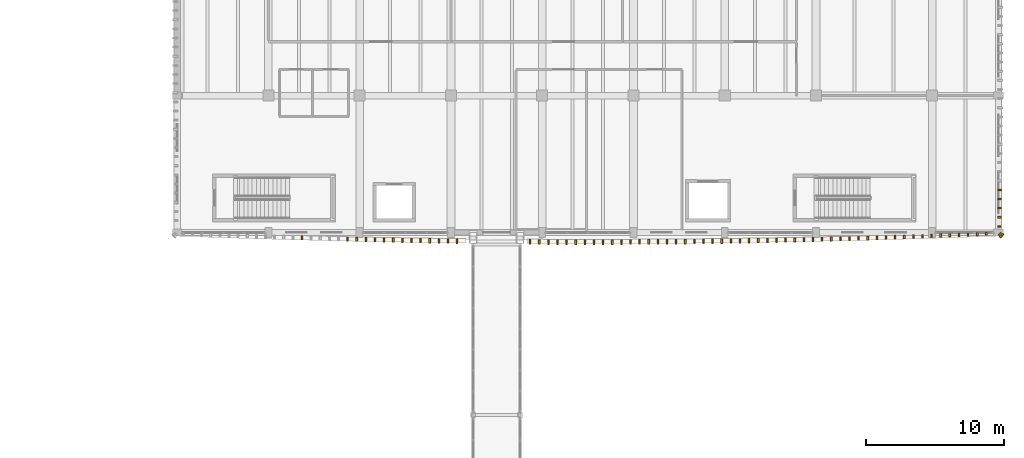
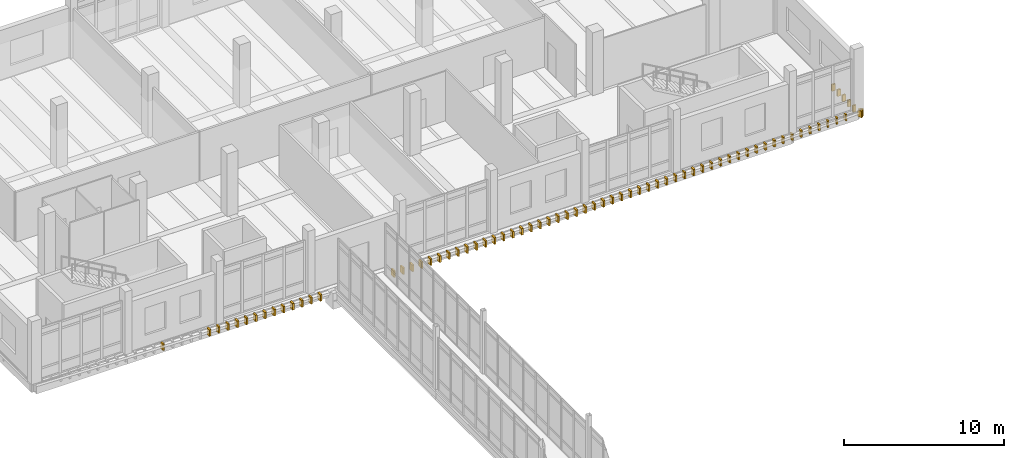
# One storey, part 123 of 125: 73 coverings.
"""IFC4 building model written with IfcOpenShell, lengths in metres."""

from ifc_helpers import new_model, si_unit, direction, frame, origin, origin_2d, place, context, subcontext, project, spatial, rectangle, extrude, material, layer, layer_set, type_object, element, save


model = new_model("IFC4")

# Units and contexts
model_context = context("Model", 3, precision=1e-05, world=origin(), true_north=direction((0.0, 1.0)))
body_context = subcontext(model_context, "Body", "Model", "MODEL_VIEW")
ifc_project = project(units=[si_unit("LENGTHUNIT", "METRE"), si_unit("AREAUNIT", "SQUARE_METRE"), si_unit("VOLUMEUNIT", "CUBIC_METRE"), si_unit("PLANEANGLEUNIT", "RADIAN"), si_unit("MASSUNIT", "GRAM", prefix="KILO")], contexts=[model_context])

# Site, building, storey
site_placement = place(None, origin())
site = spatial("IfcSite", under=ifc_project, at=site_placement, CompositionType="ELEMENT")
building_placement = place(site_placement, origin())
building = spatial("IfcBuilding", under=site, at=building_placement, Name="Dornvale Research Institute", CompositionType="ELEMENT")
storey_placement = place(building_placement, frame((0.0, 0.0, 5.39990234375)))
storey = spatial("IfcBuildingStorey", under=building, at=storey_placement, Name="L01", CompositionType="ELEMENT", Elevation=5.39990234375)

# Coverings
ifc_material = material(Name="Polychrome Glazed Terracotta Visor Rib Ceramic", Category="masonry")
ifc_layer = layer(ifc_material, 0.1201171875)
ifc_layer_set = layer_set([ifc_layer], Name="Polychrome Glazed Terracotta Visor Rib Ceramic")
covering_type = type_object("IfcCoveringType", Name="Covering_VisorBlade_Low", PredefinedType="CLADDING", material=ifc_layer_set)
covering_1_placement = place(storey_placement, frame((127.825439453125, 92.015869140625, -0.489990234375), z_axis=(0.0, 0.0, 1.0), x_axis=(0.0, 1.0, 0.0)))
element("IfcCovering", 1, at=covering_1_placement, inside=storey, type_object=covering_type, Name="L01 V4 canted glazed terracotta visor blade #1738", PredefinedType="CLADDING", context=body_context, shape_type="SweptSolid", body=[
    extrude(rectangle(XDim=0.281982421875, YDim=0.1201171875, at=origin_2d()), origin(), (0.0, 0.0, 1.0), 0.5),
])
covering_2_placement = place(storey_placement, frame((131.12451171875, 91.92626953125, -0.489990234375), z_axis=(0.0, 0.0, 1.0), x_axis=(0.0, 1.0, 0.0)))
element("IfcCovering", 2, at=covering_2_placement, inside=storey, type_object=covering_type, Name="L01 V4 canted glazed terracotta visor blade #1743", PredefinedType="CLADDING", context=body_context, shape_type="SweptSolid", body=[
    extrude(rectangle(XDim=0.304931640625, YDim=0.1201171875, at=origin_2d()), origin(), (0.0, 0.0, 1.0), 0.5),
])
covering_3_placement = place(storey_placement, frame((131.784423828125, 91.909912109375, -0.489990234375), z_axis=(0.0, 0.0, 1.0), x_axis=(0.0, 1.0, 0.0)))
element("IfcCovering", 3, at=covering_3_placement, inside=storey, type_object=covering_type, Name="L01 V4 canted glazed terracotta visor blade #1744", PredefinedType="CLADDING", context=body_context, shape_type="SweptSolid", body=[
    extrude(rectangle(XDim=0.30908203125, YDim=0.1201171875, at=origin_2d()), origin(), (0.0, 0.0, 1.0), 0.5),
])
covering_4_placement = place(storey_placement, frame((132.4443359375, 91.89453125, -0.489990234375), z_axis=(0.0, 0.0, 1.0), x_axis=(0.0, 1.0, 0.0)))
element("IfcCovering", 4, at=covering_4_placement, inside=storey, type_object=covering_type, Name="L01 V4 canted glazed terracotta visor blade #1745", PredefinedType="CLADDING", context=body_context, shape_type="SweptSolid", body=[
    extrude(rectangle(XDim=0.31298828125, YDim=0.1201171875, at=origin_2d()), origin(), (0.0, 0.0, 1.0), 0.5),
])
covering_5_placement = place(storey_placement, frame((133.104248046875, 91.879638671875, -0.489990234375), z_axis=(0.0, 0.0, 1.0), x_axis=(0.0, 1.0, 0.0)))
element("IfcCovering", 5, at=covering_5_placement, inside=storey, type_object=covering_type, Name="L01 V4 canted glazed terracotta visor blade #1746", PredefinedType="CLADDING", context=body_context, shape_type="SweptSolid", body=[
    extrude(rectangle(XDim=0.31689453125, YDim=0.1201171875, at=origin_2d()), origin(), (0.0, 0.0, 1.0), 0.5),
])
covering_6_placement = place(storey_placement, frame((133.763916015625, 91.864990234375, -0.489990234375), z_axis=(0.0, 0.0, 1.0), x_axis=(0.0, 1.0, 0.0)))
element("IfcCovering", 6, at=covering_6_placement, inside=storey, type_object=covering_type, Name="L01 V4 canted glazed terracotta visor blade #1747", PredefinedType="CLADDING", context=body_context, shape_type="SweptSolid", body=[
    extrude(rectangle(XDim=0.321044921875, YDim=0.1201171875, at=origin_2d()), origin(), (0.0, 0.0, 1.0), 0.5),
])
covering_7_placement = place(storey_placement, frame((134.423828125, 91.851806640625, -0.489990234375), z_axis=(0.0, 0.0, 1.0), x_axis=(0.0, 1.0, 0.0)))
element("IfcCovering", 7, at=covering_7_placement, inside=storey, type_object=covering_type, Name="L01 V4 canted glazed terracotta visor blade #1748", PredefinedType="CLADDING", context=body_context, shape_type="SweptSolid", body=[
    extrude(rectangle(XDim=0.323974609375, YDim=0.1201171875, at=origin_2d()), origin(), (0.0, 0.0, 1.0), 0.5),
])
covering_8_placement = place(storey_placement, frame((135.083740234375, 91.8388671875, -0.489990234375), z_axis=(0.0, 0.0, 1.0), x_axis=(0.0, 1.0, 0.0)))
element("IfcCovering", 8, at=covering_8_placement, inside=storey, type_object=covering_type, Name="L01 V4 canted glazed terracotta visor blade #1749", PredefinedType="CLADDING", context=body_context, shape_type="SweptSolid", body=[
    extrude(rectangle(XDim=0.326904296875, YDim=0.1201171875, at=origin_2d()), origin(), (0.0, 0.0, 1.0), 0.5),
])
covering_9_placement = place(storey_placement, frame((135.743896484375, 91.826904296875, -0.489990234375), z_axis=(0.0, 0.0, 1.0), x_axis=(0.0, 1.0, 0.0)))
element("IfcCovering", 9, at=covering_9_placement, inside=storey, type_object=covering_type, Name="L01 V4 canted glazed terracotta visor blade #1750", PredefinedType="CLADDING", context=body_context, shape_type="SweptSolid", body=[
    extrude(rectangle(XDim=0.330078125, YDim=0.1201171875, at=origin_2d()), origin(), (0.0, 0.0, 1.0), 0.5),
])
covering_10_placement = place(storey_placement, frame((136.40380859375, 91.815185546875, -0.489990234375), z_axis=(0.0, 0.0, 1.0), x_axis=(0.0, 1.0, 0.0)))
element("IfcCovering", 10, at=covering_10_placement, inside=storey, type_object=covering_type, Name="L01 V4 canted glazed terracotta visor blade #1751", PredefinedType="CLADDING", context=body_context, shape_type="SweptSolid", body=[
    extrude(rectangle(XDim=0.3330078125, YDim=0.1201171875, at=origin_2d()), origin(), (0.0, 0.0, 1.0), 0.5),
])
covering_11_placement = place(storey_placement, frame((137.063720703125, 91.8037109375, -0.489990234375), z_axis=(0.0, 0.0, 1.0), x_axis=(0.0, 1.0, 0.0)))
element("IfcCovering", 11, at=covering_11_placement, inside=storey, type_object=covering_type, Name="L01 V4 canted glazed terracotta visor blade #1752", PredefinedType="CLADDING", context=body_context, shape_type="SweptSolid", body=[
    extrude(rectangle(XDim=0.3359375, YDim=0.1201171875, at=origin_2d()), origin(), (0.0, 0.0, 1.0), 0.5),
])
covering_12_placement = place(storey_placement, frame((137.723388671875, 91.793212890625, -0.489990234375), z_axis=(0.0, 0.0, 1.0), x_axis=(0.0, 1.0, 0.0)))
element("IfcCovering", 12, at=covering_12_placement, inside=storey, type_object=covering_type, Name="L01 V4 canted glazed terracotta visor blade #1753", PredefinedType="CLADDING", context=body_context, shape_type="SweptSolid", body=[
    extrude(rectangle(XDim=0.339111328125, YDim=0.1201171875, at=origin_2d()), origin(), (0.0, 0.0, 1.0), 0.5),
])
covering_13_placement = place(storey_placement, frame((138.383544921875, 91.783447265625, -0.489990234375), z_axis=(0.0, 0.0, 1.0), x_axis=(0.0, 1.0, 0.0)))
element("IfcCovering", 13, at=covering_13_placement, inside=storey, type_object=covering_type, Name="L01 V4 canted glazed terracotta visor blade #1754", PredefinedType="CLADDING", context=body_context, shape_type="SweptSolid", body=[
    extrude(rectangle(XDim=0.341064453125, YDim=0.1201171875, at=origin_2d()), origin(), (0.0, 0.0, 1.0), 0.5),
])
covering_14_placement = place(storey_placement, frame((139.04345703125, 91.774169921875, -0.489990234375), z_axis=(0.0, 0.0, 1.0), x_axis=(0.0, 1.0, 0.0)))
element("IfcCovering", 14, at=covering_14_placement, inside=storey, type_object=covering_type, Name="L01 V4 canted glazed terracotta visor blade #1755", PredefinedType="CLADDING", context=body_context, shape_type="SweptSolid", body=[
    extrude(rectangle(XDim=0.343994140625, YDim=0.1201171875, at=origin_2d()), origin(), (0.0, 0.0, 1.0), 0.5),
])
covering_15_placement = place(storey_placement, frame((144.3232421875, 91.722900390625, -0.489990234375), z_axis=(0.0, 0.0, 1.0), x_axis=(0.0, 1.0, 0.0)))
element("IfcCovering", 15, at=covering_15_placement, inside=storey, type_object=covering_type, Name="L01 V4 canted glazed terracotta visor blade #1756", PredefinedType="CLADDING", context=body_context, shape_type="SweptSolid", body=[
    extrude(rectangle(XDim=0.35693359375, YDim=0.1201171875, at=origin_2d()), origin(), (0.0, 0.0, 1.0), 0.5),
])
covering_16_placement = place(storey_placement, frame((144.983154296875, 91.718994140625, -0.489990234375), z_axis=(0.0, 0.0, 1.0), x_axis=(0.0, 1.0, 0.0)))
element("IfcCovering", 16, at=covering_16_placement, inside=storey, type_object=covering_type, Name="L01 V4 canted glazed terracotta visor blade #1757", PredefinedType="CLADDING", context=body_context, shape_type="SweptSolid", body=[
    extrude(rectangle(XDim=0.35791015625, YDim=0.1201171875, at=origin_2d()), origin(), (0.0, 0.0, 1.0), 0.5),
])
for number, where, z_axis, x_axis, name in (
    (17, (145.643310546875, 91.7158203125, -0.489990234375), (0.0, 0.0, 1.0), (0.0, 1.0, 0.0), "L01 V4 canted glazed terracotta visor blade #1758"),
    (18, (146.30322265625, 91.7138671875, -0.489990234375), (0.0, 0.0, 1.0), (0.0, 1.0, 0.0), "L01 V4 canted glazed terracotta visor blade #1759"),
):
    element("IfcCovering", number, at=place(storey_placement, frame(where, z_axis=z_axis, x_axis=x_axis)), inside=storey, type_object=covering_type, Name=name, PredefinedType="CLADDING", context=body_context, shape_type="SweptSolid", body=[
        extrude(rectangle(XDim=0.35888671875, YDim=0.1201171875, at=origin_2d()), origin(), (0.0, 0.0, 1.0), 0.5),
    ])
for number, where, z_axis, x_axis, name in (
    (19, (146.963134765625, 91.711669921875, -0.489990234375), (0.0, 0.0, 1.0), (0.0, 1.0, 0.0), "L01 V4 canted glazed terracotta visor blade #1760"),
    (20, (147.623291015625, 91.7109375, -0.489990234375), (0.0, 0.0, 1.0), (0.0, 1.0, 0.0), "L01 V4 canted glazed terracotta visor blade #1761"),
    (21, (148.283203125, 91.710205078125, -0.489990234375), (0.0, 0.0, 1.0), (0.0, 1.0, 0.0), "L01 V4 canted glazed terracotta visor blade #1762"),
    (22, (148.943115234375, 91.71044921875, -0.489990234375), (0.0, 0.0, 1.0), (0.0, 1.0, 0.0), "L01 V4 canted glazed terracotta visor blade #1763"),
    (23, (149.603271484375, 91.711181640625, -0.489990234375), (0.0, 0.0, 1.0), (0.0, 1.0, 0.0), "L01 V4 canted glazed terracotta visor blade #1764"),
):
    element("IfcCovering", number, at=place(storey_placement, frame(where, z_axis=z_axis, x_axis=x_axis)), inside=storey, type_object=covering_type, Name=name, PredefinedType="CLADDING", context=body_context, shape_type="SweptSolid", body=[
        extrude(rectangle(XDim=0.360107421875, YDim=0.1201171875, at=origin_2d()), origin(), (0.0, 0.0, 1.0), 0.5),
    ])
for number, where, z_axis, x_axis, name in (
    (24, (150.26318359375, 91.71240234375, -0.489990234375), (0.0, 0.0, 1.0), (0.0, 1.0, 0.0), "L01 V4 canted glazed terracotta visor blade #1765"),
    (25, (150.923095703125, 91.714599609375, -0.489990234375), (0.0, 0.0, 1.0), (0.0, 1.0, 0.0), "L01 V4 canted glazed terracotta visor blade #1766"),
):
    element("IfcCovering", number, at=place(storey_placement, frame(where, z_axis=z_axis, x_axis=x_axis)), inside=storey, type_object=covering_type, Name=name, PredefinedType="CLADDING", context=body_context, shape_type="SweptSolid", body=[
        extrude(rectangle(XDim=0.35888671875, YDim=0.1201171875, at=origin_2d()), origin(), (0.0, 0.0, 1.0), 0.5),
    ])
covering_17_placement = place(storey_placement, frame((151.583251953125, 91.717041015625, -0.489990234375), z_axis=(0.0, 0.0, 1.0), x_axis=(0.0, 1.0, 0.0)))
element("IfcCovering", 26, at=covering_17_placement, inside=storey, type_object=covering_type, Name="L01 V4 canted glazed terracotta visor blade #1767", PredefinedType="CLADDING", context=body_context, shape_type="SweptSolid", body=[
    extrude(rectangle(XDim=0.35791015625, YDim=0.1201171875, at=origin_2d()), origin(), (0.0, 0.0, 1.0), 0.5),
])
covering_18_placement = place(storey_placement, frame((152.2431640625, 91.720703125, -0.489990234375), z_axis=(0.0, 0.0, 1.0), x_axis=(0.0, 1.0, 0.0)))
element("IfcCovering", 27, at=covering_18_placement, inside=storey, type_object=covering_type, Name="L01 V4 canted glazed terracotta visor blade #1768", PredefinedType="CLADDING", context=body_context, shape_type="SweptSolid", body=[
    extrude(rectangle(XDim=0.35693359375, YDim=0.1201171875, at=origin_2d()), origin(), (0.0, 0.0, 1.0), 0.5),
])
covering_19_placement = place(storey_placement, frame((152.9033203125, 91.724609375, -0.489990234375), z_axis=(0.0, 0.0, 1.0), x_axis=(0.0, 1.0, 0.0)))
element("IfcCovering", 28, at=covering_19_placement, inside=storey, type_object=covering_type, Name="L01 V4 canted glazed terracotta visor blade #1769", PredefinedType="CLADDING", context=body_context, shape_type="SweptSolid", body=[
    extrude(rectangle(XDim=0.35595703125, YDim=0.1201171875, at=origin_2d()), origin(), (0.0, 0.0, 1.0), 0.5),
])
covering_20_placement = place(storey_placement, frame((153.563232421875, 91.728515625, -0.489990234375), z_axis=(0.0, 0.0, 1.0), x_axis=(0.0, 1.0, 0.0)))
element("IfcCovering", 29, at=covering_20_placement, inside=storey, type_object=covering_type, Name="L01 V4 canted glazed terracotta visor blade #1770", PredefinedType="CLADDING", context=body_context, shape_type="SweptSolid", body=[
    extrude(rectangle(XDim=0.35498046875, YDim=0.1201171875, at=origin_2d()), origin(), (0.0, 0.0, 1.0), 0.5),
])
covering_21_placement = place(storey_placement, frame((154.22314453125, 91.73388671875, -0.489990234375), z_axis=(0.0, 0.0, 1.0), x_axis=(0.0, 1.0, 0.0)))
element("IfcCovering", 30, at=covering_21_placement, inside=storey, type_object=covering_type, Name="L01 V4 canted glazed terracotta visor blade #1771", PredefinedType="CLADDING", context=body_context, shape_type="SweptSolid", body=[
    extrude(rectangle(XDim=0.35400390625, YDim=0.1201171875, at=origin_2d()), origin(), (0.0, 0.0, 1.0), 0.5),
])
covering_22_placement = place(storey_placement, frame((154.883056640625, 91.739013671875, -0.489990234375), z_axis=(0.0, 0.0, 1.0), x_axis=(0.0, 1.0, 0.0)))
element("IfcCovering", 31, at=covering_22_placement, inside=storey, type_object=covering_type, Name="L01 V4 canted glazed terracotta visor blade #1772", PredefinedType="CLADDING", context=body_context, shape_type="SweptSolid", body=[
    extrude(rectangle(XDim=0.35302734375, YDim=0.1201171875, at=origin_2d()), origin(), (0.0, 0.0, 1.0), 0.5),
])
covering_23_placement = place(storey_placement, frame((155.543212890625, 91.745849609375, -0.489990234375), z_axis=(0.0, 0.0, 1.0), x_axis=(0.0, 1.0, 0.0)))
element("IfcCovering", 32, at=covering_23_placement, inside=storey, type_object=covering_type, Name="L01 V4 canted glazed terracotta visor blade #1773", PredefinedType="CLADDING", context=body_context, shape_type="SweptSolid", body=[
    extrude(rectangle(XDim=0.35107421875, YDim=0.1201171875, at=origin_2d()), origin(), (0.0, 0.0, 1.0), 0.5),
])
covering_24_placement = place(storey_placement, frame((156.203125, 91.7529296875, -0.489990234375), z_axis=(0.0, 0.0, 1.0), x_axis=(0.0, 1.0, 0.0)))
element("IfcCovering", 33, at=covering_24_placement, inside=storey, type_object=covering_type, Name="L01 V4 canted glazed terracotta visor blade #1774", PredefinedType="CLADDING", context=body_context, shape_type="SweptSolid", body=[
    extrude(rectangle(XDim=0.34912109375, YDim=0.1201171875, at=origin_2d()), origin(), (0.0, 0.0, 1.0), 0.5),
])
covering_25_placement = place(storey_placement, frame((156.863037109375, 91.76025390625, -0.489990234375), z_axis=(0.0, 0.0, 1.0), x_axis=(0.0, 1.0, 0.0)))
element("IfcCovering", 34, at=covering_25_placement, inside=storey, type_object=covering_type, Name="L01 V4 canted glazed terracotta visor blade #1775", PredefinedType="CLADDING", context=body_context, shape_type="SweptSolid", body=[
    extrude(rectangle(XDim=0.346923828125, YDim=0.1201171875, at=origin_2d()), origin(), (0.0, 0.0, 1.0), 0.5),
])
covering_26_placement = place(storey_placement, frame((157.52294921875, 91.768798828125, -0.489990234375), z_axis=(0.0, 0.0, 1.0), x_axis=(0.0, 1.0, 0.0)))
element("IfcCovering", 35, at=covering_26_placement, inside=storey, type_object=covering_type, Name="L01 V4 canted glazed terracotta visor blade #1776", PredefinedType="CLADDING", context=body_context, shape_type="SweptSolid", body=[
    extrude(rectangle(XDim=0.344970703125, YDim=0.1201171875, at=origin_2d()), origin(), (0.0, 0.0, 1.0), 0.5),
])
covering_27_placement = place(storey_placement, frame((158.18310546875, 91.777099609375, -0.489990234375), z_axis=(0.0, 0.0, 1.0), x_axis=(0.0, 1.0, 0.0)))
element("IfcCovering", 36, at=covering_27_placement, inside=storey, type_object=covering_type, Name="L01 V4 canted glazed terracotta visor blade #1777", PredefinedType="CLADDING", context=body_context, shape_type="SweptSolid", body=[
    extrude(rectangle(XDim=0.343017578125, YDim=0.1201171875, at=origin_2d()), origin(), (0.0, 0.0, 1.0), 0.5),
])
covering_28_placement = place(storey_placement, frame((158.843017578125, 91.78662109375, -0.489990234375), z_axis=(0.0, 0.0, 1.0), x_axis=(0.0, 1.0, 0.0)))
element("IfcCovering", 37, at=covering_28_placement, inside=storey, type_object=covering_type, Name="L01 V4 canted glazed terracotta visor blade #1778", PredefinedType="CLADDING", context=body_context, shape_type="SweptSolid", body=[
    extrude(rectangle(XDim=0.341064453125, YDim=0.1201171875, at=origin_2d()), origin(), (0.0, 0.0, 1.0), 0.5),
])
covering_29_placement = place(storey_placement, frame((159.5029296875, 91.796875, -0.489990234375), z_axis=(0.0, 0.0, 1.0), x_axis=(0.0, 1.0, 0.0)))
element("IfcCovering", 38, at=covering_29_placement, inside=storey, type_object=covering_type, Name="L01 V4 canted glazed terracotta visor blade #1779", PredefinedType="CLADDING", context=body_context, shape_type="SweptSolid", body=[
    extrude(rectangle(XDim=0.337890625, YDim=0.1201171875, at=origin_2d()), origin(), (0.0, 0.0, 1.0), 0.5),
])
covering_30_placement = place(storey_placement, frame((160.162841796875, 91.807373046875, -0.489990234375), z_axis=(0.0, 0.0, 1.0), x_axis=(0.0, 1.0, 0.0)))
element("IfcCovering", 39, at=covering_30_placement, inside=storey, type_object=covering_type, Name="L01 V4 canted glazed terracotta visor blade #1780", PredefinedType="CLADDING", context=body_context, shape_type="SweptSolid", body=[
    extrude(rectangle(XDim=0.3349609375, YDim=0.1201171875, at=origin_2d()), origin(), (0.0, 0.0, 1.0), 0.5),
])
covering_31_placement = place(storey_placement, frame((160.82275390625, 91.819091796875, -0.489990234375), z_axis=(0.0, 0.0, 1.0), x_axis=(0.0, 1.0, 0.0)))
element("IfcCovering", 40, at=covering_31_placement, inside=storey, type_object=covering_type, Name="L01 V4 canted glazed terracotta visor blade #1781", PredefinedType="CLADDING", context=body_context, shape_type="SweptSolid", body=[
    extrude(rectangle(XDim=0.33203125, YDim=0.1201171875, at=origin_2d()), origin(), (0.0, 0.0, 1.0), 0.5),
])
covering_32_placement = place(storey_placement, frame((161.482666015625, 91.830810546875, -0.489990234375), z_axis=(0.0, 0.0, 1.0), x_axis=(0.0, 1.0, 0.0)))
element("IfcCovering", 41, at=covering_32_placement, inside=storey, type_object=covering_type, Name="L01 V4 canted glazed terracotta visor blade #1782", PredefinedType="CLADDING", context=body_context, shape_type="SweptSolid", body=[
    extrude(rectangle(XDim=0.3291015625, YDim=0.1201171875, at=origin_2d()), origin(), (0.0, 0.0, 1.0), 0.5),
])
covering_33_placement = place(storey_placement, frame((162.142578125, 91.843505859375, -0.489990234375), z_axis=(0.0, 0.0, 1.0), x_axis=(0.0, 1.0, 0.0)))
element("IfcCovering", 42, at=covering_33_placement, inside=storey, type_object=covering_type, Name="L01 V4 canted glazed terracotta visor blade #1783", PredefinedType="CLADDING", context=body_context, shape_type="SweptSolid", body=[
    extrude(rectangle(XDim=0.325927734375, YDim=0.1201171875, at=origin_2d()), origin(), (0.0, 0.0, 1.0), 0.5),
])
covering_34_placement = place(storey_placement, frame((162.802490234375, 91.8564453125, -0.489990234375), z_axis=(0.0, 0.0, 1.0), x_axis=(0.0, 1.0, 0.0)))
element("IfcCovering", 43, at=covering_34_placement, inside=storey, type_object=covering_type, Name="L01 V4 canted glazed terracotta visor blade #1784", PredefinedType="CLADDING", context=body_context, shape_type="SweptSolid", body=[
    extrude(rectangle(XDim=0.322998046875, YDim=0.1201171875, at=origin_2d()), origin(), (0.0, 0.0, 1.0), 0.5),
])
covering_35_placement = place(storey_placement, frame((163.46240234375, 91.8701171875, -0.489990234375), z_axis=(0.0, 0.0, 1.0), x_axis=(0.0, 1.0, 0.0)))
element("IfcCovering", 44, at=covering_35_placement, inside=storey, type_object=covering_type, Name="L01 V4 canted glazed terracotta visor blade #1785", PredefinedType="CLADDING", context=body_context, shape_type="SweptSolid", body=[
    extrude(rectangle(XDim=0.319091796875, YDim=0.1201171875, at=origin_2d()), origin(), (0.0, 0.0, 1.0), 0.5),
])
covering_36_placement = place(storey_placement, frame((164.122314453125, 91.884521484375, -0.489990234375), z_axis=(0.0, 0.0, 1.0), x_axis=(0.0, 1.0, 0.0)))
element("IfcCovering", 45, at=covering_36_placement, inside=storey, type_object=covering_type, Name="L01 V4 canted glazed terracotta visor blade #1786", PredefinedType="CLADDING", context=body_context, shape_type="SweptSolid", body=[
    extrude(rectangle(XDim=0.31591796875, YDim=0.1201171875, at=origin_2d()), origin(), (0.0, 0.0, 1.0), 0.5),
])
covering_37_placement = place(storey_placement, frame((164.781982421875, 91.8994140625, -0.489990234375), z_axis=(0.0, 0.0, 1.0), x_axis=(0.0, 1.0, 0.0)))
element("IfcCovering", 46, at=covering_37_placement, inside=storey, type_object=covering_type, Name="L01 V4 canted glazed terracotta visor blade #1787", PredefinedType="CLADDING", context=body_context, shape_type="SweptSolid", body=[
    extrude(rectangle(XDim=0.31201171875, YDim=0.1201171875, at=origin_2d()), origin(), (0.0, 0.0, 1.0), 0.5),
])
covering_38_placement = place(storey_placement, frame((165.44189453125, 91.915283203125, -0.489990234375), z_axis=(0.0, 0.0, 1.0), x_axis=(0.0, 1.0, 0.0)))
element("IfcCovering", 47, at=covering_38_placement, inside=storey, type_object=covering_type, Name="L01 V4 canted glazed terracotta visor blade #1788", PredefinedType="CLADDING", context=body_context, shape_type="SweptSolid", body=[
    extrude(rectangle(XDim=0.30810546875, YDim=0.1201171875, at=origin_2d()), origin(), (0.0, 0.0, 1.0), 0.5),
])
covering_39_placement = place(storey_placement, frame((166.101806640625, 91.931640625, -0.489990234375), z_axis=(0.0, 0.0, 1.0), x_axis=(0.0, 1.0, 0.0)))
element("IfcCovering", 48, at=covering_39_placement, inside=storey, type_object=covering_type, Name="L01 V4 canted glazed terracotta visor blade #1789", PredefinedType="CLADDING", context=body_context, shape_type="SweptSolid", body=[
    extrude(rectangle(XDim=0.303955078125, YDim=0.1201171875, at=origin_2d()), origin(), (0.0, 0.0, 1.0), 0.5),
])
covering_40_placement = place(storey_placement, frame((166.76171875, 91.947998046875, -0.489990234375), z_axis=(0.0, 0.0, 1.0), x_axis=(0.0, 1.0, 0.0)))
element("IfcCovering", 49, at=covering_40_placement, inside=storey, type_object=covering_type, Name="L01 V4 canted glazed terracotta visor blade #1790", PredefinedType="CLADDING", context=body_context, shape_type="SweptSolid", body=[
    extrude(rectangle(XDim=0.300048828125, YDim=0.1201171875, at=origin_2d()), origin(), (0.0, 0.0, 1.0), 0.5),
])
covering_41_placement = place(storey_placement, frame((167.42138671875, 91.966064453125, -0.489990234375), z_axis=(0.0, 0.0, 1.0), x_axis=(0.0, 1.0, 0.0)))
element("IfcCovering", 50, at=covering_41_placement, inside=storey, type_object=covering_type, Name="L01 V4 canted glazed terracotta visor blade #1791", PredefinedType="CLADDING", context=body_context, shape_type="SweptSolid", body=[
    extrude(rectangle(XDim=0.294921875, YDim=0.1201171875, at=origin_2d()), origin(), (0.0, 0.0, 1.0), 0.5),
])
covering_42_placement = place(storey_placement, frame((168.081298828125, 91.984130859375, -0.489990234375), z_axis=(0.0, 0.0, 1.0), x_axis=(0.0, 1.0, 0.0)))
element("IfcCovering", 51, at=covering_42_placement, inside=storey, type_object=covering_type, Name="L01 V4 canted glazed terracotta visor blade #1792", PredefinedType="CLADDING", context=body_context, shape_type="SweptSolid", body=[
    extrude(rectangle(XDim=0.2900390625, YDim=0.1201171875, at=origin_2d()), origin(), (0.0, 0.0, 1.0), 0.5),
])
covering_43_placement = place(storey_placement, frame((168.7412109375, 92.002685546875, -0.489990234375), z_axis=(0.0, 0.0, 1.0), x_axis=(0.0, 1.0, 0.0)))
element("IfcCovering", 52, at=covering_43_placement, inside=storey, type_object=covering_type, Name="L01 V4 canted glazed terracotta visor blade #1793", PredefinedType="CLADDING", context=body_context, shape_type="SweptSolid", body=[
    extrude(rectangle(XDim=0.285888671875, YDim=0.1201171875, at=origin_2d()), origin(), (0.0, 0.0, 1.0), 0.5),
])
covering_44_placement = place(storey_placement, frame((169.40087890625, 92.022216796875, -0.489990234375), z_axis=(0.0, 0.0, 1.0), x_axis=(0.0, 1.0, 0.0)))
element("IfcCovering", 53, at=covering_44_placement, inside=storey, type_object=covering_type, Name="L01 V4 canted glazed terracotta visor blade #1794", PredefinedType="CLADDING", context=body_context, shape_type="SweptSolid", body=[
    extrude(rectangle(XDim=0.281005859375, YDim=0.1201171875, at=origin_2d()), origin(), (0.0, 0.0, 1.0), 0.5),
])
covering_45_placement = place(storey_placement, frame((170.060546875, 92.0419921875, -0.489990234375), z_axis=(0.0, 0.0, 1.0), x_axis=(0.0, 1.0, 0.0)))
element("IfcCovering", 54, at=covering_45_placement, inside=storey, type_object=covering_type, Name="L01 V4 canted glazed terracotta visor blade #1795", PredefinedType="CLADDING", context=body_context, shape_type="SweptSolid", body=[
    extrude(rectangle(XDim=0.27587890625, YDim=0.1201171875, at=origin_2d()), origin(), (0.0, 0.0, 1.0), 0.5),
])
covering_46_placement = place(storey_placement, frame((170.720458984375, 92.063232421875, -0.489990234375), z_axis=(0.0, 0.0, 1.0), x_axis=(0.0, 1.0, 0.0)))
element("IfcCovering", 55, at=covering_46_placement, inside=storey, type_object=covering_type, Name="L01 V4 canted glazed terracotta visor blade #1796", PredefinedType="CLADDING", context=body_context, shape_type="SweptSolid", body=[
    extrude(rectangle(XDim=0.27001953125, YDim=0.1201171875, at=origin_2d()), origin(), (0.0, 0.0, 1.0), 0.5),
])
covering_47_placement = place(storey_placement, frame((171.380126953125, 92.083984375, -0.489990234375), z_axis=(0.0, 0.0, 1.0), x_axis=(0.0, 1.0, 0.0)))
element("IfcCovering", 56, at=covering_47_placement, inside=storey, type_object=covering_type, Name="L01 V4 canted glazed terracotta visor blade #1797", PredefinedType="CLADDING", context=body_context, shape_type="SweptSolid", body=[
    extrude(rectangle(XDim=0.264892578125, YDim=0.1201171875, at=origin_2d()), origin(), (0.0, 0.0, 1.0), 0.5),
])
covering_48_placement = place(storey_placement, frame((172.039794921875, 92.105712890625, -0.489990234375), z_axis=(0.0, 0.0, 1.0), x_axis=(0.0, 1.0, 0.0)))
element("IfcCovering", 57, at=covering_48_placement, inside=storey, type_object=covering_type, Name="L01 V4 canted glazed terracotta visor blade #1798", PredefinedType="CLADDING", context=body_context, shape_type="SweptSolid", body=[
    extrude(rectangle(XDim=0.260009765625, YDim=0.1201171875, at=origin_2d()), origin(), (0.0, 0.0, 1.0), 0.5),
])
covering_49_placement = place(storey_placement, frame((172.699462890625, 92.12841796875, -0.489990234375), z_axis=(0.0, 0.0, 1.0), x_axis=(0.0, 1.0, 0.0)))
element("IfcCovering", 58, at=covering_49_placement, inside=storey, type_object=covering_type, Name="L01 V4 canted glazed terracotta visor blade #1799", PredefinedType="CLADDING", context=body_context, shape_type="SweptSolid", body=[
    extrude(rectangle(XDim=0.25390625, YDim=0.1201171875, at=origin_2d()), origin(), (0.0, 0.0, 1.0), 0.5),
])
covering_50_placement = place(storey_placement, frame((173.359130859375, 92.1513671875, -0.489990234375), z_axis=(0.0, 0.0, 1.0), x_axis=(0.0, 1.0, 0.0)))
element("IfcCovering", 59, at=covering_50_placement, inside=storey, type_object=covering_type, Name="L01 V4 canted glazed terracotta visor blade #1800", PredefinedType="CLADDING", context=body_context, shape_type="SweptSolid", body=[
    extrude(rectangle(XDim=0.248046875, YDim=0.1201171875, at=origin_2d()), origin(), (0.0, 0.0, 1.0), 0.5),
])
covering_51_placement = place(storey_placement, frame((174.018798828125, 92.175537109375, -0.489990234375), z_axis=(0.0, 0.0, 1.0), x_axis=(0.0, 1.0, 0.0)))
element("IfcCovering", 60, at=covering_51_placement, inside=storey, type_object=covering_type, Name="L01 V4 canted glazed terracotta visor blade #1801", PredefinedType="CLADDING", context=body_context, shape_type="SweptSolid", body=[
    extrude(rectangle(XDim=0.241943359375, YDim=0.1201171875, at=origin_2d()), origin(), (0.0, 0.0, 1.0), 0.5),
])
covering_52_placement = place(storey_placement, frame((174.6787109375, 92.199462890625, -0.489990234375), z_axis=(0.0, 0.0, 1.0), x_axis=(0.0, 1.0, 0.0)))
element("IfcCovering", 61, at=covering_52_placement, inside=storey, type_object=covering_type, Name="L01 V4 canted glazed terracotta visor blade #1802", PredefinedType="CLADDING", context=body_context, shape_type="SweptSolid", body=[
    extrude(rectangle(XDim=0.236083984375, YDim=0.1201171875, at=origin_2d()), origin(), (0.0, 0.0, 1.0), 0.5),
])
covering_53_placement = place(storey_placement, frame((175.338134765625, 92.22509765625, -0.489990234375), z_axis=(0.0, 0.0, 1.0), x_axis=(0.0, 1.0, 0.0)))
element("IfcCovering", 62, at=covering_53_placement, inside=storey, type_object=covering_type, Name="L01 V4 canted glazed terracotta visor blade #1803", PredefinedType="CLADDING", context=body_context, shape_type="SweptSolid", body=[
    extrude(rectangle(XDim=0.22900390625, YDim=0.1201171875, at=origin_2d()), origin(), (0.0, 0.0, 1.0), 0.5),
])
covering_54_placement = place(storey_placement, frame((175.997802734375, 92.25048828125, -0.489990234375), z_axis=(0.0, 0.0, 1.0), x_axis=(0.0, 1.0, 0.0)))
element("IfcCovering", 63, at=covering_54_placement, inside=storey, type_object=covering_type, Name="L01 V4 canted glazed terracotta visor blade #1804", PredefinedType="CLADDING", context=body_context, shape_type="SweptSolid", body=[
    extrude(rectangle(XDim=0.222900390625, YDim=0.1201171875, at=origin_2d()), origin(), (0.0, 0.0, 1.0), 0.5),
])
covering_55_placement = place(storey_placement, frame((176.657470703125, 92.276611328125, -0.489990234375), z_axis=(0.0, 0.0, 1.0), x_axis=(0.0, 1.0, 0.0)))
element("IfcCovering", 64, at=covering_55_placement, inside=storey, type_object=covering_type, Name="L01 V4 canted glazed terracotta visor blade #1805", PredefinedType="CLADDING", context=body_context, shape_type="SweptSolid", body=[
    extrude(rectangle(XDim=0.216064453125, YDim=0.1201171875, at=origin_2d()), origin(), (0.0, 0.0, 1.0), 0.5),
])
covering_56_placement = place(storey_placement, frame((177.31689453125, 92.3037109375, -0.489990234375), z_axis=(0.0, 0.0, 1.0), x_axis=(0.0, 1.0, 0.0)))
element("IfcCovering", 65, at=covering_56_placement, inside=storey, type_object=covering_type, Name="L01 V4 canted glazed terracotta visor blade #1806", PredefinedType="CLADDING", context=body_context, shape_type="SweptSolid", body=[
    extrude(rectangle(XDim=0.208984375, YDim=0.1201171875, at=origin_2d()), origin(), (0.0, 0.0, 1.0), 0.5),
])
covering_57_placement = place(storey_placement, frame((178.264892578125, 92.85009765625, -0.489990234375), z_axis=(0.0, 0.0, 1.0), x_axis=(1.0, 0.0, 0.0)))
element("IfcCovering", 66, at=covering_57_placement, inside=storey, type_object=covering_type, Name="L01 V4 canted glazed terracotta visor blade #1896", PredefinedType="CLADDING", context=body_context, shape_type="SweptSolid", body=[
    extrude(rectangle(XDim=0.2099609375, YDim=0.1201171875, at=origin_2d()), origin(), (0.0, 0.0, 1.0), 0.5),
])
covering_58_placement = place(storey_placement, frame((178.271484375, 93.510009765625, -0.489990234375), z_axis=(0.0, 0.0, 1.0), x_axis=(1.0, 0.0, 0.0)))
element("IfcCovering", 67, at=covering_58_placement, inside=storey, type_object=covering_type, Name="L01 V4 canted glazed terracotta visor blade #1897", PredefinedType="CLADDING", context=body_context, shape_type="SweptSolid", body=[
    extrude(rectangle(XDim=0.222900390625, YDim=0.1201171875, at=origin_2d()), origin(), (0.0, 0.0, 1.0), 0.5),
])
covering_59_placement = place(storey_placement, frame((178.278076171875, 94.169921875, -0.489990234375), z_axis=(0.0, 0.0, 1.0), x_axis=(1.0, 0.0, 0.0)))
element("IfcCovering", 68, at=covering_59_placement, inside=storey, type_object=covering_type, Name="L01 V4 canted glazed terracotta visor blade #1898", PredefinedType="CLADDING", context=body_context, shape_type="SweptSolid", body=[
    extrude(rectangle(XDim=0.236083984375, YDim=0.1201171875, at=origin_2d()), origin(), (0.0, 0.0, 1.0), 0.5),
])
covering_60_placement = place(storey_placement, frame((178.283935546875, 94.830078125, -0.489990234375), z_axis=(0.0, 0.0, 1.0), x_axis=(1.0, 0.0, 0.0)))
element("IfcCovering", 69, at=covering_60_placement, inside=storey, type_object=covering_type, Name="L01 V4 canted glazed terracotta visor blade #1899", PredefinedType="CLADDING", context=body_context, shape_type="SweptSolid", body=[
    extrude(rectangle(XDim=0.248046875, YDim=0.1201171875, at=origin_2d()), origin(), (0.0, 0.0, 1.0), 0.5),
])
covering_61_placement = place(storey_placement, frame((178.2900390625, 95.489990234375, -0.489990234375), z_axis=(0.0, 0.0, 1.0), x_axis=(1.0, 0.0, 0.0)))
element("IfcCovering", 70, at=covering_61_placement, inside=storey, type_object=covering_type, Name="L01 V4 canted glazed terracotta visor blade #1900", PredefinedType="CLADDING", context=body_context, shape_type="SweptSolid", body=[
    extrude(rectangle(XDim=0.260009765625, YDim=0.1201171875, at=origin_2d()), origin(), (0.0, 0.0, 1.0), 0.5),
])
for number, where, z_axis, x_axis, name in (
    (71, (178.309814453125, 92.164306640625, -0.489990234375), (0.0, 0.0, 1.0), (0.422618261741, -0.906307787037, 0.0), "L01 V4 corner-wrapping visor blade #1981"),
    (72, (178.3837890625, 92.21630859375, -0.489990234375), (0.0, 0.0, 1.0), (0.707106781187, -0.707106781187, 0.0), "L01 V4 corner-wrapping visor blade #1982"),
    (73, (178.435546875, 92.2900390625, -0.489990234375), (0.0, 0.0, 1.0), (0.906307787037, -0.422618261741, 0.0), "L01 V4 corner-wrapping visor blade #1983"),
):
    element("IfcCovering", number, at=place(storey_placement, frame(where, z_axis=z_axis, x_axis=x_axis)), inside=storey, type_object=covering_type, Name=name, PredefinedType="CLADDING", context=body_context, shape_type="SweptSolid", body=[
        extrude(rectangle(XDim=0.300048828125, YDim=0.1201171875, at=origin_2d()), origin(), (0.0, 0.0, 1.0), 0.5),
    ])

save(model, "model.ifc")
